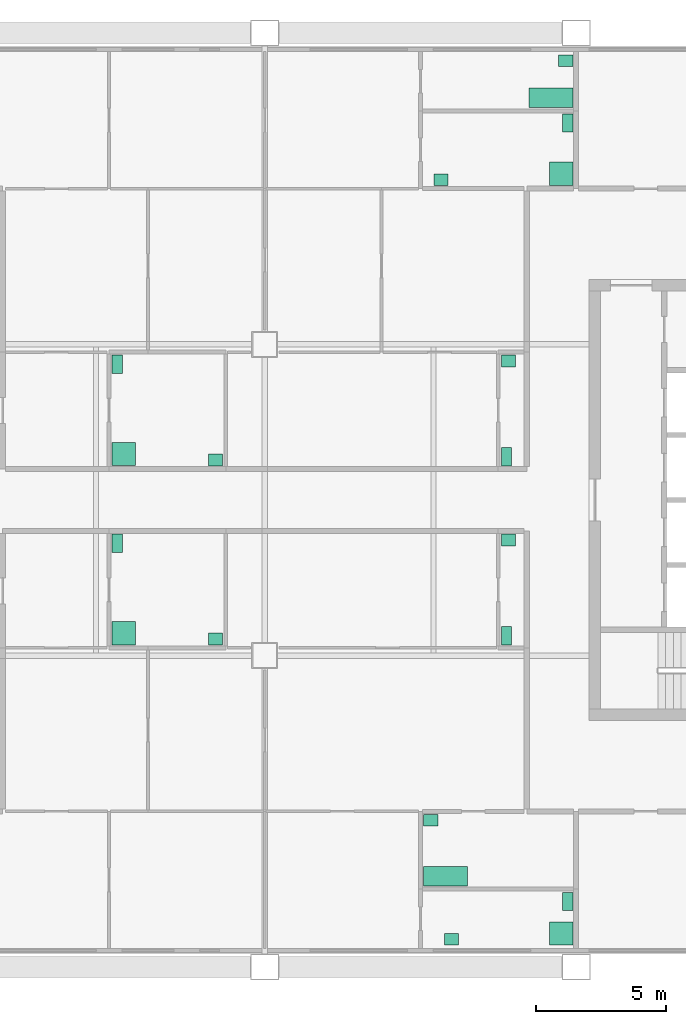
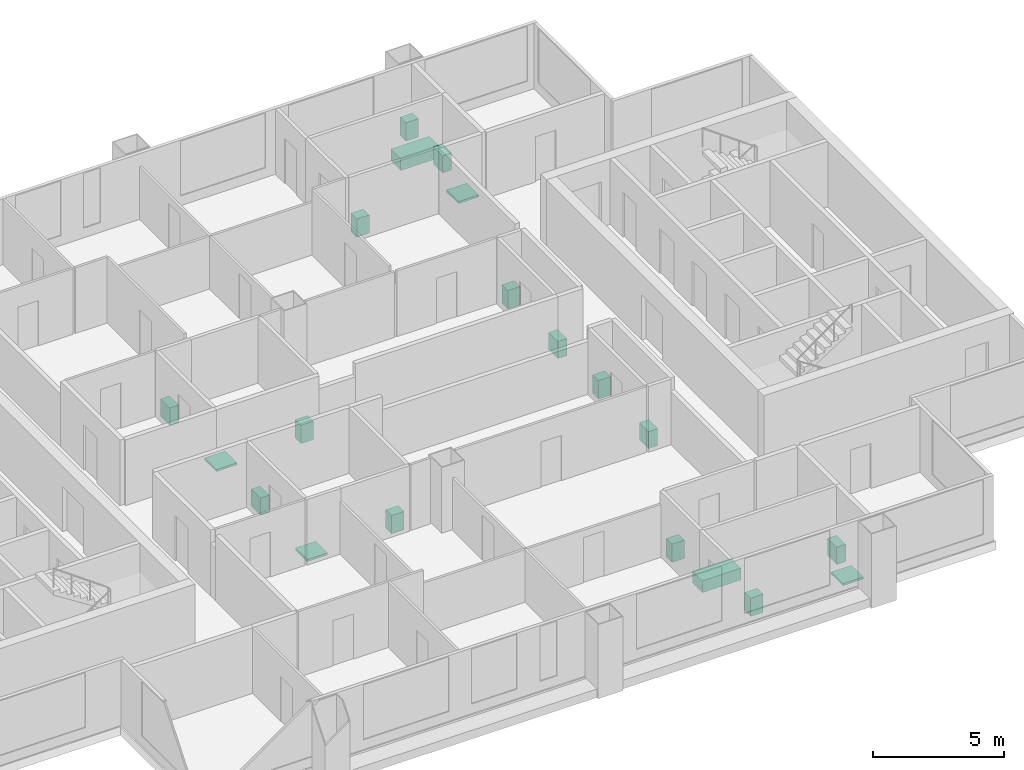
# One storey, part 8 of 8: 20 sanitary terminals.
"""IFC4 building model written with IfcOpenShell, lengths in metres."""

from ifc_helpers import new_model, si_unit, direction, frame, origin, origin_2d, place, context, subcontext, project, spatial, rectangle, extrude, material, type_object, element, save


model = new_model("IFC4")

# Units and contexts
model_context = context("Model", 3, precision=1e-05, world=origin(), true_north=direction((0.0, 1.0)))
body_context = subcontext(model_context, "Body", "Model", "MODEL_VIEW")
ifc_project = project(units=[si_unit("LENGTHUNIT", "METRE"), si_unit("AREAUNIT", "SQUARE_METRE"), si_unit("VOLUMEUNIT", "CUBIC_METRE"), si_unit("PLANEANGLEUNIT", "RADIAN"), si_unit("MASSUNIT", "GRAM", prefix="KILO")], contexts=[model_context])

# Site, building, storey
site_placement = place(None, origin())
site = spatial("IfcSite", under=ifc_project, at=site_placement, CompositionType="ELEMENT")
building_placement = place(site_placement, origin())
building = spatial("IfcBuilding", under=site, at=building_placement, Name="Kitamizu Gate Tower and Museum", CompositionType="ELEMENT")
storey_placement = place(building_placement, frame((0.0, 0.0, 235.199951171875)))
storey = spatial("IfcBuildingStorey", under=building, at=storey_placement, Name="L63", CompositionType="ELEMENT", Elevation=235.199951171875)

# Sanitary terminals
ifc_material_1 = material(Name="Acrylic")
sanitary_terminal_type_1 = type_object("IfcSanitaryTerminalType", Name="Bath", PredefinedType="BATH", material=ifc_material_1)
for number, where, z_axis, x_axis, name in (
    (1, (42.969970703125, 15.4951171875, 0.0009765625), (0.0, 0.0, 1.0), (1.0, 0.0, 0.0), "Bath Bathroom 63A"),
    (2, (47.030029296875, 45.4951171875, 0.0009765625), (0.0, 0.0, 1.0), (1.0, 0.0, 0.0), "Bath Bathroom 63B"),
):
    element("IfcSanitaryTerminal", number, at=place(storey_placement, frame(where, z_axis=z_axis, x_axis=x_axis)), inside=storey, type_object=sanitary_terminal_type_1, Name=name, PredefinedType="BATH", context=body_context, shape_type="SweptSolid", body=[
        extrude(rectangle(XDim=1.699951171875, YDim=0.75, at=origin_2d()), origin(), (0.0, 0.0, 1.0), 0.550048828125),
    ])
ifc_material_2 = material(Name="Acrylic")
sanitary_terminal_type_2 = type_object("IfcSanitaryTerminalType", Name="Shower tray", PredefinedType="SHOWER", material=ifc_material_2)
for number, where, z_axis, x_axis, name in (
    (3, (47.429931640625, 13.2900390625, 0.0009765625), (0.0, 0.0, 1.0), (1.0, 0.0, 0.0), "Shower tray En-suite bathroom 63A"),
    (4, (30.570068359375, 24.8701171875, 0.0009765625), (0.0, 0.0, 1.0), (1.0, 0.0, 0.0), "Shower tray En-suite bathroom 63A"),
    (5, (47.429931640625, 42.570068359375, 0.0009765625), (0.0, 0.0, 1.0), (1.0, 0.0, 0.0), "Shower tray En-suite bathroom 63B"),
    (6, (30.570068359375, 31.77001953125, 0.0009765625), (0.0, 0.0, 1.0), (1.0, 0.0, 0.0), "Shower tray En-suite bathroom 63B"),
):
    element("IfcSanitaryTerminal", number, at=place(storey_placement, frame(where, z_axis=z_axis, x_axis=x_axis)), inside=storey, type_object=sanitary_terminal_type_2, Name=name, PredefinedType="SHOWER", context=body_context, shape_type="SweptSolid", body=[
        extrude(rectangle(XDim=0.89990234375, YDim=0.89990234375, at=origin_2d()), origin(), (0.0, 0.0, 1.0), 0.10009765625),
    ])
ifc_material_3 = material(Name="Vitreous china")
sanitary_terminal_type_3 = type_object("IfcSanitaryTerminalType", Name="Wash hand basin", PredefinedType="WASHHANDBASIN", material=ifc_material_3)
for number, where, z_axis, x_axis, name in (
    (7, (43.195068359375, 13.06494140625, 0.0009765625), (0.0, 0.0, 1.0), (1.0, 0.0, 0.0), "Wash hand basin En-suite bathroom 63A"),
    (8, (42.39501953125, 17.655029296875, 0.0009765625), (0.0, 0.0, 1.0), (1.0, 0.0, 0.0), "Wash hand basin Bathroom 63A"),
    (9, (34.10498046875, 24.64501953125, 0.0009765625), (0.0, 0.0, 1.0), (1.0, 0.0, 0.0), "Wash hand basin En-suite bathroom 63A"),
    (10, (45.39501953125, 28.455078125, 0.0009765625), (0.0, 0.0, 1.0), (1.0, 0.0, 0.0), "Wash hand basin WC 63A"),
    (11, (42.794921875, 42.344970703125, 0.0009765625), (0.0, 0.0, 1.0), (1.0, 0.0, 0.0), "Wash hand basin En-suite bathroom 63B"),
    (12, (47.60498046875, 46.93505859375, 0.0009765625), (0.0, 0.0, 1.0), (1.0, 0.0, 0.0), "Wash hand basin Bathroom 63B"),
    (13, (34.10498046875, 31.544921875, 0.0009765625), (0.0, 0.0, 1.0), (1.0, 0.0, 0.0), "Wash hand basin En-suite bathroom 63B"),
    (14, (45.39501953125, 35.35498046875, 0.0009765625), (0.0, 0.0, 1.0), (1.0, 0.0, 0.0), "Wash hand basin WC 63B"),
):
    element("IfcSanitaryTerminal", number, at=place(storey_placement, frame(where, z_axis=z_axis, x_axis=x_axis)), inside=storey, type_object=sanitary_terminal_type_3, Name=name, PredefinedType="WASHHANDBASIN", context=body_context, shape_type="SweptSolid", body=[
        extrude(rectangle(XDim=0.550048828125, YDim=0.449951171875, at=origin_2d()), origin(), (0.0, 0.0, 1.0), 0.85009765625),
    ])
ifc_material_4 = material(Name="Vitreous china")
sanitary_terminal_type_4 = type_object("IfcSanitaryTerminalType", Name="Water closet", PredefinedType="TOILETPAN", material=ifc_material_4)
for number, where, z_axis, x_axis, name in (
    (15, (47.679931640625, 14.530029296875, 0.0009765625), (0.0, 0.0, 1.0), (1.0, 0.0, 0.0), "Water closet En-suite bathroom 63A"),
    (16, (30.320068359375, 28.330078125, 0.0009765625), (0.0, 0.0, 1.0), (1.0, 0.0, 0.0), "Water closet En-suite bathroom 63A"),
    (17, (45.320068359375, 24.77001953125, 0.0009765625), (0.0, 0.0, 1.0), (1.0, 0.0, 0.0), "Water closet WC 63A"),
    (18, (47.679931640625, 44.530029296875, 0.0009765625), (0.0, 0.0, 1.0), (1.0, 0.0, 0.0), "Water closet En-suite bathroom 63B"),
    (19, (30.320068359375, 35.22998046875, 0.0009765625), (0.0, 0.0, 1.0), (1.0, 0.0, 0.0), "Water closet En-suite bathroom 63B"),
    (20, (45.320068359375, 31.669921875, 0.0009765625), (0.0, 0.0, 1.0), (1.0, 0.0, 0.0), "Water closet WC 63B"),
):
    element("IfcSanitaryTerminal", number, at=place(storey_placement, frame(where, z_axis=z_axis, x_axis=x_axis)), inside=storey, type_object=sanitary_terminal_type_4, Name=name, PredefinedType="TOILETPAN", context=body_context, shape_type="SweptSolid", body=[
        extrude(rectangle(XDim=0.39990234375, YDim=0.699951171875, at=origin_2d()), origin(), (0.0, 0.0, 1.0), 0.800048828125),
    ])

save(model, "model.ifc")
